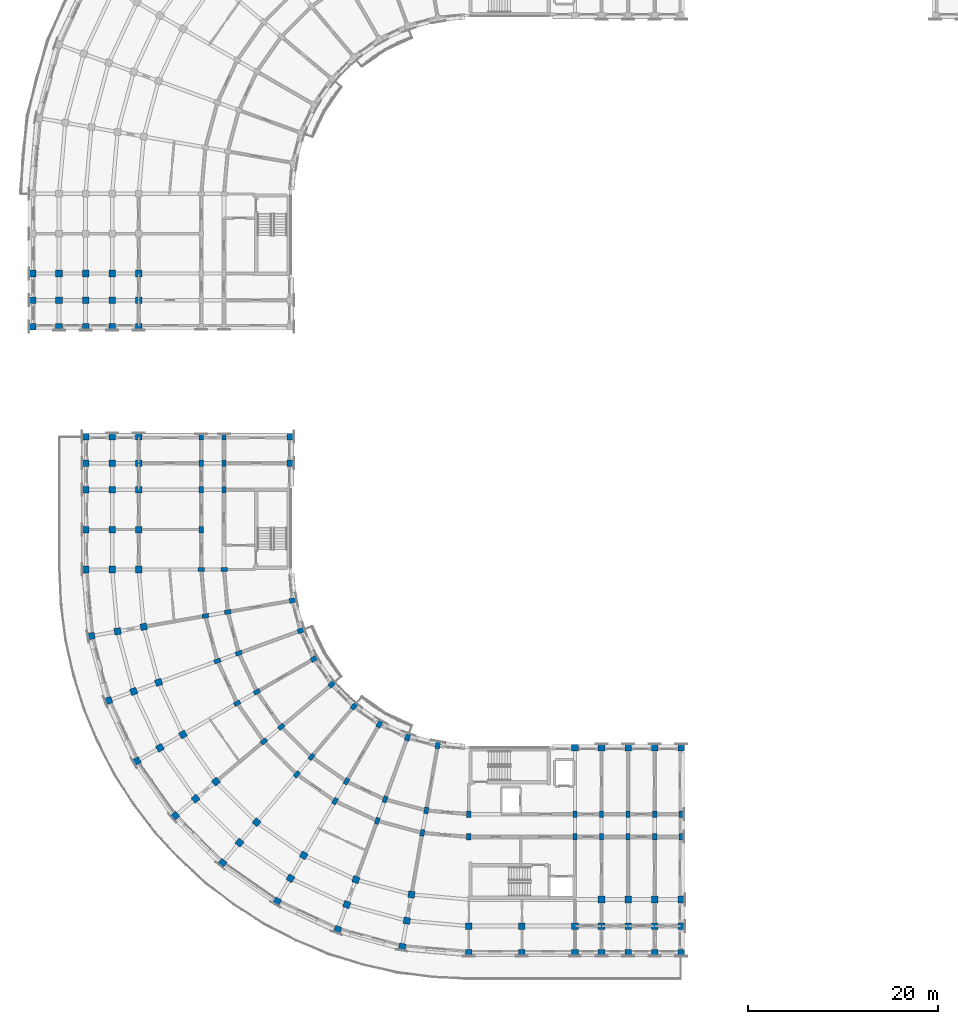
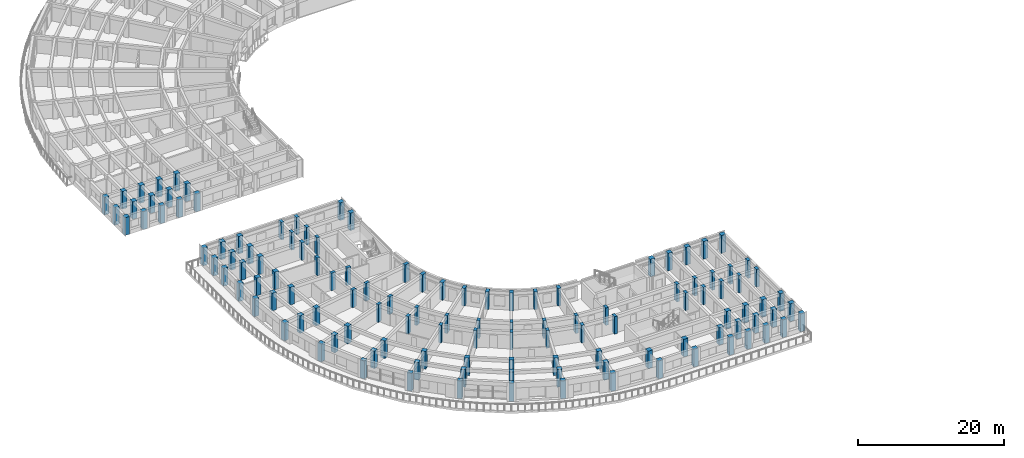
# One storey, part 1 of 57: 124 columns.
"""IFC4 building model written with IfcOpenShell, lengths in metres."""

import ifcopenshell
import ifcopenshell.guid

model = None  # the IFC model being written
_history = None  # IfcOwnerHistory: only IFC2X3 demands one
_inside = {}  # id of a spatial element -> (the spatial element, [elements in it])
_under = {}  # id of a project, library or spatial element -> (it, [spatial elements below it])
_declared = {}  # id of a project -> (the project, [libraries it declares])
_typed = {}  # id of a type object -> (the type object, [elements of that type])
_made_of = {}  # id of a material, layer set ... -> (it, [elements and type objects made of it])


def new_model(schema):
    """Start an empty IFC model of exactly this schema.

    Asked for "IFC4X3", IfcOpenShell would pick the latest addendum, in which some entities
    have other attributes; the version numbers below select the first issue.
    IFC2X3 requires an IfcOwnerHistory on every rooted entity: one is made here for all.
    """
    global model, _history
    if schema == "IFC4X3":
        model = ifcopenshell.file(schema_version=(4, 3, 0, 0))
    else:
        model = ifcopenshell.file(schema=schema)
    _inside.clear()
    _under.clear()
    _declared.clear()
    _typed.clear()
    _made_of.clear()
    _history = None
    if model.schema == "IFC2X3":
        org = make("IfcOrganization", Name="unknown")
        user = make(
            "IfcPersonAndOrganization",
            ThePerson=make("IfcPerson", FamilyName="unknown"),
            TheOrganization=org,
        )
        app = make(
            "IfcApplication",
            ApplicationDeveloper=org,
            Version="unknown",
            ApplicationFullName="unknown",
            ApplicationIdentifier="unknown",
        )
        _history = make(
            "IfcOwnerHistory",
            OwningUser=user,
            OwningApplication=app,
            ChangeAction="ADDED",
            CreationDate=0,
        )
    return model


def make(cls, **values):
    """One entity of the class cls with the attributes given. An attribute that is None is left unset."""
    return model.create_entity(
        cls, **{name: value for name, value in values.items() if value is not None}
    )


def rooted(cls, **values):
    """An entity with a GlobalId (a new one), such as an element, a storey or a relation."""
    return make(cls, GlobalId=ifcopenshell.guid.new(), OwnerHistory=_history, **values)


def si_unit(unit_type, name, prefix=None):
    """IfcSIUnit, for example si_unit("LENGTHUNIT", "METRE", prefix="MILLI")."""
    return make("IfcSIUnit", UnitType=unit_type, Prefix=prefix, Name=name)


def assignment(units):
    """IfcUnitAssignment: the units of a project."""
    return None if units is None else make("IfcUnitAssignment", Units=units)


def point(xyz):
    """IfcCartesianPoint."""
    return None if xyz is None else make("IfcCartesianPoint", Coordinates=xyz)


def direction(xyz):
    """IfcDirection."""
    return None if xyz is None else make("IfcDirection", DirectionRatios=xyz)


def frame(location, z_axis=None, x_axis=None):
    """IfcAxis2Placement3D, a coordinate frame: its origin and axes. An axis left out is left unset."""
    return make(
        "IfcAxis2Placement3D",
        Location=point(location),
        Axis=direction(z_axis),
        RefDirection=direction(x_axis),
    )


def frame_2d(location, x_axis=None):
    """IfcAxis2Placement2D, a coordinate frame in the plane: its origin and x axis."""
    return make(
        "IfcAxis2Placement2D", Location=point(location), RefDirection=direction(x_axis)
    )


def origin():
    """The frame at (0, 0, 0) with its axes left unset."""
    return frame((0.0, 0.0, 0.0))


def origin_2d():
    """The frame at (0, 0) in the plane with its x axis left unset."""
    return frame_2d((0.0, 0.0))


def place(relative_to, where):
    """IfcLocalPlacement: puts the frame where relative to a parent placement (None: the world)."""
    return make(
        "IfcLocalPlacement", PlacementRelTo=relative_to, RelativePlacement=where
    )


def context(
    kind, dimensions, precision=None, world=None, true_north=None, identifier=None
):
    """IfcGeometricRepresentationContext, for example the 3D "Model" context."""
    return make(
        "IfcGeometricRepresentationContext",
        ContextIdentifier=identifier,
        ContextType=kind,
        CoordinateSpaceDimension=dimensions,
        Precision=precision,
        WorldCoordinateSystem=world,
        TrueNorth=true_north,
    )


def subcontext(parent, identifier, kind, view, scale=None):
    """IfcGeometricRepresentationSubContext, for example "Body" below "Model"."""
    return make(
        "IfcGeometricRepresentationSubContext",
        ContextIdentifier=identifier,
        ContextType=kind,
        ParentContext=parent,
        TargetScale=scale,
        TargetView=view,
    )


def project(units=None, contexts=None):
    """IfcProject with its units and contexts."""
    return rooted(
        "IfcProject",
        Name="project",
        RepresentationContexts=contexts,
        UnitsInContext=assignment(units),
    )


def spatial(cls, under=None, at=None, **own):
    """A site, building, storey or space (cls), placed at a placement, below another one or the project."""
    s = rooted(cls, ObjectPlacement=at, **own)
    if under is not None:
        _under.setdefault(under.id(), (under, []))[1].append(s)
    return s


def profile(cls, at=None, kind="AREA", **sizes):
    """A parametric profile (cls). Its sizes go by their IFC names, for example OverallWidth=200.0."""
    return make(cls, ProfileType=kind, Position=at, **sizes)


def rectangle(**sizes):
    """IfcRectangleProfileDef."""
    return profile("IfcRectangleProfileDef", **sizes)


def extrude(swept, where, along, depth):
    """IfcExtrudedAreaSolid: the profile swept, set in the frame where, extruded along a direction by depth."""
    return make(
        "IfcExtrudedAreaSolid",
        SweptArea=swept,
        Position=where,
        ExtrudedDirection=direction(along),
        Depth=depth,
    )


def shape(context_of_items, identifier, shape_type, items):
    """IfcShapeRepresentation: the items that make up one representation, for example the "Body"."""
    return make(
        "IfcShapeRepresentation",
        ContextOfItems=context_of_items,
        RepresentationIdentifier=identifier,
        RepresentationType=shape_type,
        Items=items,
    )


def material(Name=None, Category=None):
    """IfcMaterial."""
    return make("IfcMaterial", Name=Name, Category=Category)


def material_profile(
    of_material, cross_section, Name=None, Category=None, Priority=None
):
    """IfcMaterialProfile: a cross section and its material."""
    return make(
        "IfcMaterialProfile",
        Name=Name,
        Material=of_material,
        Profile=cross_section,
        Priority=Priority,
        Category=Category,
    )


def profile_set(profiles, Name=None, composite=None):
    """IfcMaterialProfileSet."""
    return make(
        "IfcMaterialProfileSet",
        Name=Name,
        MaterialProfiles=profiles,
        CompositeProfile=composite,
    )


def made_of(thing, what):
    """Note that an element or type object is made of a material, layer set ...; save() writes the relation."""
    if what is not None:
        _made_of.setdefault(what.id(), (what, []))[1].append(thing)
    return thing


def type_object(cls, material=None, **own):
    """A type object (cls), such as IfcWallType, which elements share."""
    return made_of(rooted(cls, **own), material)


def element(
    cls,
    number,
    at=None,
    inside=None,
    cuts=None,
    type_object=None,
    material=None,
    context=None,
    identifier="Body",
    shape_type=None,
    held_by="IfcProductDefinitionShape",
    body=None,
    shapes=None,
    **own,
):
    """One element of the class cls, such as IfcWall. Its Tag is "e" and its number.

    at: its placement. inside: the storey or other place that contains it. cuts: it is an
    opening in that element (IfcRelVoidsElement). A single representation is given by context,
    identifier, shape_type and body (its items); several are given by shapes. held_by: the class
    of the entity that holds the representations. save() writes the other relations.
    """
    e = rooted(cls, Tag="e%d" % number, ObjectPlacement=at, **own)
    if body is not None:
        shapes = [shape(context, identifier, shape_type, body)]
    if shapes is not None:
        e.Representation = make(held_by, Representations=shapes)
    if inside is not None:
        _inside.setdefault(inside.id(), (inside, []))[1].append(e)
    if cuts is not None:
        rooted(
            "IfcRelVoidsElement", RelatingBuildingElement=cuts, RelatedOpeningElement=e
        )
    if type_object is not None:
        _typed.setdefault(type_object.id(), (type_object, []))[1].append(e)
    return made_of(e, material)


def aggregate(whole, parts):
    """IfcRelAggregates: a whole, such as a stair, and the parts it consists of."""
    return rooted("IfcRelAggregates", RelatingObject=whole, RelatedObjects=parts)


def save(model, path):
    """Write the relations noted so far, then the file.

    IfcRelAggregates (storeys below a building ...), IfcRelContainedInSpatialStructure (elements
    in a storey), IfcRelDefinesByType, IfcRelAssociatesMaterial and IfcRelDeclares: one each for
    every whole, place, type object, material and project.
    """
    for whole, parts in _under.values():
        aggregate(whole, parts)
    for where, things in _inside.values():
        rooted(
            "IfcRelContainedInSpatialStructure",
            RelatedElements=things,
            RelatingStructure=where,
        )
    for kind, things in _typed.values():
        rooted("IfcRelDefinesByType", RelatedObjects=things, RelatingType=kind)
    for what, things in _made_of.values():
        rooted("IfcRelAssociatesMaterial", RelatedObjects=things, RelatingMaterial=what)
    for by, libraries in _declared.values():
        rooted("IfcRelDeclares", RelatingContext=by, RelatedDefinitions=libraries)
    model.write(path)


model = new_model("IFC4")

# Units and contexts
model_context = context("Model", 3, precision=1e-05, world=origin(), true_north=direction((0.0, 1.0)))
body_context = subcontext(model_context, "Body", "Model", "MODEL_VIEW")
ifc_project = project(units=[si_unit("LENGTHUNIT", "METRE"), si_unit("AREAUNIT", "SQUARE_METRE"), si_unit("VOLUMEUNIT", "CUBIC_METRE"), si_unit("PLANEANGLEUNIT", "RADIAN"), si_unit("MASSUNIT", "GRAM", prefix="KILO")], contexts=[model_context])

# Site, building, storey
site_placement = place(None, origin())
site = spatial("IfcSite", under=ifc_project, at=site_placement, CompositionType="ELEMENT")
building_placement = place(site_placement, origin())
building = spatial("IfcBuilding", under=site, at=building_placement, Name="Kiranvali Square Residences", CompositionType="ELEMENT")
storey_placement = place(building_placement, frame((0.0, 0.0, 24.449951171875)))
storey = spatial("IfcBuildingStorey", under=building, at=storey_placement, Name="L07", CompositionType="ELEMENT", Elevation=24.449951171875)

# Columns
ifc_material_1 = material(Name="Concrete M45 (45 MPa)", Category="concrete")
ifc_material_profile_1 = material_profile(ifc_material_1, rectangle(XDim=0.699951171875, YDim=0.699951171875, at=origin_2d()), Name="RC 700x700")
ifc_profile_set_1 = profile_set([ifc_material_profile_1], Name="Concrete M45 (45 MPa)")
column_type_1 = type_object("IfcColumnType", Name="COL-M45-700", PredefinedType="COLUMN", material=ifc_profile_set_1)
for number, where, z_axis, x_axis, name in (
    (1, (13.39990234375, 79.39990234375, 0.0), (0.0, 0.0, 1.0), (1.0, 0.0, 0.0), "Block A L07 Arm 2 column V1-R3"),
    (2, (10.60009765625, 79.39990234375, 0.0), (0.0, 0.0, 1.0), (1.0, 0.0, 0.0), "Block A L07 Arm 2 column V1-R4"),
    (3, (7.800048828125, 79.39990234375, 0.0), (0.0, 0.0, 1.0), (1.0, 0.0, 0.0), "Block A L07 Arm 2 column V1-R5"),
    (4, (5.0, 79.39990234375, 0.0), (0.0, 0.0, 1.0), (1.0, 0.0, 0.0), "Block A L07 Arm 2 column V1-R6"),
    (5, (2.199951171875, 79.39990234375, 0.0), (0.0, 0.0, 1.0), (1.0, 0.0, 0.0), "Block A L07 Arm 2 column V1-R7"),
    (6, (13.39990234375, 76.60009765625, 0.0), (0.0, 0.0, 1.0), (1.0, 0.0, 0.0), "Block A L07 Arm 2 column V2-R3"),
    (7, (10.60009765625, 76.60009765625, 0.0), (0.0, 0.0, 1.0), (1.0, 0.0, 0.0), "Block A L07 Arm 2 column V2-R4"),
    (8, (7.800048828125, 76.60009765625, 0.0), (0.0, 0.0, 1.0), (1.0, 0.0, 0.0), "Block A L07 Arm 2 column V2-R5"),
    (9, (5.0, 76.60009765625, 0.0), (0.0, 0.0, 1.0), (1.0, 0.0, 0.0), "Block A L07 Arm 2 column V2-R6"),
    (10, (2.199951171875, 76.60009765625, 0.0), (0.0, 0.0, 1.0), (1.0, 0.0, 0.0), "Block A L07 Arm 2 column V2-R7"),
):
    element("IfcColumn", number, at=place(storey_placement, frame(where, z_axis=z_axis, x_axis=x_axis)), inside=storey, type_object=column_type_1, Name=name, PredefinedType="COLUMN", context=body_context, shape_type="SweptSolid", body=[
        extrude(rectangle(XDim=0.699951171875, YDim=0.699951171875, at=origin_2d()), origin(), (0.0, 0.0, 1.0), 2.929931640625),
    ])
for number, where, z_axis, x_axis, name in (
    (11, (13.39990234375, 73.800048828125, 0.0), (0.0, 0.0, 1.0), (1.0, 0.0, 0.0), "Block A L07 Arm 2 column V3-R3"),
    (12, (10.60009765625, 73.800048828125, 0.0), (0.0, 0.0, 1.0), (1.0, 0.0, 0.0), "Block A L07 Arm 2 column V3-R4"),
    (13, (7.800048828125, 73.800048828125, 0.0), (0.0, 0.0, 1.0), (1.0, 0.0, 0.0), "Block A L07 Arm 2 column V3-R5"),
    (14, (5.0, 73.800048828125, 0.0), (0.0, 0.0, 1.0), (1.0, 0.0, 0.0), "Block A L07 Arm 2 column V3-R6"),
    (15, (2.199951171875, 73.800048828125, 0.0), (0.0, 0.0, 1.0), (1.0, 0.0, 0.0), "Block A L07 Arm 2 column V3-R7"),
):
    element("IfcColumn", number, at=place(storey_placement, frame(where, z_axis=z_axis, x_axis=x_axis)), inside=storey, type_object=column_type_1, Name=name, PredefinedType="COLUMN", context=body_context, shape_type="SweptSolid", body=[
        extrude(rectangle(XDim=0.699951171875, YDim=0.699951171875, at=origin_2d()), origin(), (0.0, 0.0, 1.0), 2.969970703125),
    ])
column_1_placement = place(storey_placement, frame((48.199951171875, 10.60009765625, 0.0), z_axis=(0.0, 0.0, 1.0), x_axis=(1.0, 0.0, 0.0)))
element("IfcColumn", 16, at=column_1_placement, inside=storey, type_object=column_type_1, Name="Block C L07 radial column A00-R4", PredefinedType="COLUMN", context=body_context, shape_type="SweptSolid", body=[
    extrude(rectangle(XDim=0.699951171875, YDim=0.699951171875, at=origin_2d()), origin(), (0.0, 0.0, 1.0), 2.929931640625),
])
column_2_placement = place(storey_placement, frame((48.199951171875, 7.800048828125, 0.0), z_axis=(0.0, 0.0, 1.0), x_axis=(1.0, 0.0, 0.0)))
element("IfcColumn", 17, at=column_2_placement, inside=storey, type_object=column_type_1, Name="Block C L07 radial column A00-R5", PredefinedType="COLUMN", context=body_context, shape_type="SweptSolid", body=[
    extrude(rectangle(XDim=0.699951171875, YDim=0.699951171875, at=origin_2d()), origin(), (0.0, 0.0, 1.0), 2.969970703125),
])
for number, where, z_axis, x_axis, name in (
    (18, (42.156982421875, 13.9287109375, 0.0), (0.0, 0.0, 1.0), (-0.984807753012, 0.173648177667, 0.0), "Block C L07 radial column A01-R3"),
    (19, (41.6708984375, 11.171142578125, 0.0), (0.0, 0.0, 1.0), (-0.984807753012, 0.173648177667, 0.0), "Block C L07 radial column A01-R4"),
):
    element("IfcColumn", number, at=place(storey_placement, frame(where, z_axis=z_axis, x_axis=x_axis)), inside=storey, type_object=column_type_1, Name=name, PredefinedType="COLUMN", context=body_context, shape_type="SweptSolid", body=[
        extrude(rectangle(XDim=0.699951171875, YDim=0.699951171875, at=origin_2d()), origin(), (0.0, 0.0, 1.0), 2.929931640625),
    ])
column_3_placement = place(storey_placement, frame((41.1845703125, 8.413818359375, 0.0), z_axis=(0.0, 0.0, 1.0), x_axis=(-0.984807753012, 0.173648177667, 0.0)))
element("IfcColumn", 20, at=column_3_placement, inside=storey, type_object=column_type_1, Name="Block C L07 radial column A01-R5", PredefinedType="COLUMN", context=body_context, shape_type="SweptSolid", body=[
    extrude(rectangle(XDim=0.699951171875, YDim=0.699951171875, at=origin_2d()), origin(), (0.0, 0.0, 1.0), 2.969970703125),
])
for number, where, z_axis, x_axis, name in (
    (21, (36.297607421875, 15.498779296875, 0.0), (0.0, 0.0, 1.0), (-0.939692620786, 0.342020143326, 0.0), "Block C L07 radial column A02-R3"),
    (22, (35.340087890625, 12.86767578125, 0.0), (0.0, 0.0, 1.0), (-0.939692620786, 0.342020143326, 0.0), "Block C L07 radial column A02-R4"),
):
    element("IfcColumn", number, at=place(storey_placement, frame(where, z_axis=z_axis, x_axis=x_axis)), inside=storey, type_object=column_type_1, Name=name, PredefinedType="COLUMN", context=body_context, shape_type="SweptSolid", body=[
        extrude(rectangle(XDim=0.699951171875, YDim=0.699951171875, at=origin_2d()), origin(), (0.0, 0.0, 1.0), 2.929931640625),
    ])
column_4_placement = place(storey_placement, frame((34.38232421875, 10.236328125, 0.0), z_axis=(0.0, 0.0, 1.0), x_axis=(-0.939692620786, 0.342020143326, 0.0)))
element("IfcColumn", 23, at=column_4_placement, inside=storey, type_object=column_type_1, Name="Block C L07 radial column A02-R5", PredefinedType="COLUMN", context=body_context, shape_type="SweptSolid", body=[
    extrude(rectangle(XDim=0.699951171875, YDim=0.699951171875, at=origin_2d()), origin(), (0.0, 0.0, 1.0), 2.969970703125),
])
for number, where, z_axis, x_axis, name in (
    (24, (30.800048828125, 18.062255859375, 0.0), (0.0, 0.0, 1.0), (-0.866025403784, 0.5, 0.0), "Block C L07 radial column A03-R3"),
    (25, (29.39990234375, 15.637451171875, 0.0), (0.0, 0.0, 1.0), (-0.866025403784, 0.5, 0.0), "Block C L07 radial column A03-R4"),
):
    element("IfcColumn", number, at=place(storey_placement, frame(where, z_axis=z_axis, x_axis=x_axis)), inside=storey, type_object=column_type_1, Name=name, PredefinedType="COLUMN", context=body_context, shape_type="SweptSolid", body=[
        extrude(rectangle(XDim=0.699951171875, YDim=0.699951171875, at=origin_2d()), origin(), (0.0, 0.0, 1.0), 2.929931640625),
    ])
column_5_placement = place(storey_placement, frame((28.0, 13.212646484375, 0.0), z_axis=(0.0, 0.0, 1.0), x_axis=(-0.866025403784, 0.5, 0.0)))
element("IfcColumn", 26, at=column_5_placement, inside=storey, type_object=column_type_1, Name="Block C L07 radial column A03-R5", PredefinedType="COLUMN", context=body_context, shape_type="SweptSolid", body=[
    extrude(rectangle(XDim=0.699951171875, YDim=0.699951171875, at=origin_2d()), origin(), (0.0, 0.0, 1.0), 2.969970703125),
])
for number, where, z_axis, x_axis, name in (
    (27, (25.8310546875, 21.541748046875, 0.0), (0.0, 0.0, 1.0), (-0.766044443119, 0.642787609687, 0.0), "Block C L07 radial column A04-R3"),
    (28, (24.03125, 19.396728515625, 0.0), (0.0, 0.0, 1.0), (-0.766044443119, 0.642787609687, 0.0), "Block C L07 radial column A04-R4"),
):
    element("IfcColumn", number, at=place(storey_placement, frame(where, z_axis=z_axis, x_axis=x_axis)), inside=storey, type_object=column_type_1, Name=name, PredefinedType="COLUMN", context=body_context, shape_type="SweptSolid", body=[
        extrude(rectangle(XDim=0.699951171875, YDim=0.699951171875, at=origin_2d()), origin(), (0.0, 0.0, 1.0), 2.929931640625),
    ])
column_6_placement = place(storey_placement, frame((22.2314453125, 17.251708984375, 0.0), z_axis=(0.0, 0.0, 1.0), x_axis=(-0.766044443119, 0.642787609687, 0.0)))
element("IfcColumn", 29, at=column_6_placement, inside=storey, type_object=column_type_1, Name="Block C L07 radial column A04-R5", PredefinedType="COLUMN", context=body_context, shape_type="SweptSolid", body=[
    extrude(rectangle(XDim=0.699951171875, YDim=0.699951171875, at=origin_2d()), origin(), (0.0, 0.0, 1.0), 2.969970703125),
])
for number, where, z_axis, x_axis, name in (
    (30, (21.541748046875, 25.8310546875, 0.0), (0.0, 0.0, 1.0), (-0.642787609687, 0.766044443119, 0.0), "Block C L07 radial column A05-R3"),
    (31, (19.396728515625, 24.03125, 0.0), (0.0, 0.0, 1.0), (-0.642787609687, 0.766044443119, 0.0), "Block C L07 radial column A05-R4"),
):
    element("IfcColumn", number, at=place(storey_placement, frame(where, z_axis=z_axis, x_axis=x_axis)), inside=storey, type_object=column_type_1, Name=name, PredefinedType="COLUMN", context=body_context, shape_type="SweptSolid", body=[
        extrude(rectangle(XDim=0.699951171875, YDim=0.699951171875, at=origin_2d()), origin(), (0.0, 0.0, 1.0), 2.929931640625),
    ])
column_7_placement = place(storey_placement, frame((17.251708984375, 22.2314453125, 0.0), z_axis=(0.0, 0.0, 1.0), x_axis=(-0.642787609687, 0.766044443119, 0.0)))
element("IfcColumn", 32, at=column_7_placement, inside=storey, type_object=column_type_1, Name="Block C L07 radial column A05-R5", PredefinedType="COLUMN", context=body_context, shape_type="SweptSolid", body=[
    extrude(rectangle(XDim=0.699951171875, YDim=0.699951171875, at=origin_2d()), origin(), (0.0, 0.0, 1.0), 2.969970703125),
])
for number, where, z_axis, x_axis, name in (
    (33, (18.062255859375, 30.800048828125, 0.0), (0.0, 0.0, 1.0), (-0.5, 0.866025403784, 0.0), "Block C L07 radial column A06-R3"),
    (34, (15.637451171875, 29.39990234375, 0.0), (0.0, 0.0, 1.0), (-0.5, 0.866025403784, 0.0), "Block C L07 radial column A06-R4"),
):
    element("IfcColumn", number, at=place(storey_placement, frame(where, z_axis=z_axis, x_axis=x_axis)), inside=storey, type_object=column_type_1, Name=name, PredefinedType="COLUMN", context=body_context, shape_type="SweptSolid", body=[
        extrude(rectangle(XDim=0.699951171875, YDim=0.699951171875, at=origin_2d()), origin(), (0.0, 0.0, 1.0), 2.929931640625),
    ])
column_8_placement = place(storey_placement, frame((13.212646484375, 28.0, 0.0), z_axis=(0.0, 0.0, 1.0), x_axis=(-0.5, 0.866025403784, 0.0)))
element("IfcColumn", 35, at=column_8_placement, inside=storey, type_object=column_type_1, Name="Block C L07 radial column A06-R5", PredefinedType="COLUMN", context=body_context, shape_type="SweptSolid", body=[
    extrude(rectangle(XDim=0.699951171875, YDim=0.699951171875, at=origin_2d()), origin(), (0.0, 0.0, 1.0), 2.969970703125),
])
for number, where, z_axis, x_axis, name in (
    (36, (15.498779296875, 36.297607421875, 0.0), (0.0, 0.0, 1.0), (-0.342020143326, 0.939692620786, 0.0), "Block C L07 radial column A07-R3"),
    (37, (12.86767578125, 35.340087890625, 0.0), (0.0, 0.0, 1.0), (-0.342020143326, 0.939692620786, 0.0), "Block C L07 radial column A07-R4"),
):
    element("IfcColumn", number, at=place(storey_placement, frame(where, z_axis=z_axis, x_axis=x_axis)), inside=storey, type_object=column_type_1, Name=name, PredefinedType="COLUMN", context=body_context, shape_type="SweptSolid", body=[
        extrude(rectangle(XDim=0.699951171875, YDim=0.699951171875, at=origin_2d()), origin(), (0.0, 0.0, 1.0), 2.929931640625),
    ])
column_9_placement = place(storey_placement, frame((10.236328125, 34.38232421875, 0.0), z_axis=(0.0, 0.0, 1.0), x_axis=(-0.342020143326, 0.939692620786, 0.0)))
element("IfcColumn", 38, at=column_9_placement, inside=storey, type_object=column_type_1, Name="Block C L07 radial column A07-R5", PredefinedType="COLUMN", context=body_context, shape_type="SweptSolid", body=[
    extrude(rectangle(XDim=0.699951171875, YDim=0.699951171875, at=origin_2d()), origin(), (0.0, 0.0, 1.0), 2.969970703125),
])
for number, where, z_axis, x_axis, name in (
    (39, (13.9287109375, 42.156982421875, 0.0), (0.0, 0.0, 1.0), (-0.173648177667, 0.984807753012, 0.0), "Block C L07 radial column A08-R3"),
    (40, (11.171142578125, 41.6708984375, 0.0), (0.0, 0.0, 1.0), (-0.173648177667, 0.984807753012, 0.0), "Block C L07 radial column A08-R4"),
):
    element("IfcColumn", number, at=place(storey_placement, frame(where, z_axis=z_axis, x_axis=x_axis)), inside=storey, type_object=column_type_1, Name=name, PredefinedType="COLUMN", context=body_context, shape_type="SweptSolid", body=[
        extrude(rectangle(XDim=0.699951171875, YDim=0.699951171875, at=origin_2d()), origin(), (0.0, 0.0, 1.0), 2.929931640625),
    ])
column_10_placement = place(storey_placement, frame((8.413818359375, 41.1845703125, 0.0), z_axis=(0.0, 0.0, 1.0), x_axis=(-0.173648177667, 0.984807753012, 0.0)))
element("IfcColumn", 41, at=column_10_placement, inside=storey, type_object=column_type_1, Name="Block C L07 radial column A08-R5", PredefinedType="COLUMN", context=body_context, shape_type="SweptSolid", body=[
    extrude(rectangle(XDim=0.699951171875, YDim=0.699951171875, at=origin_2d()), origin(), (0.0, 0.0, 1.0), 2.969970703125),
])
for number, where, z_axis, x_axis, name in (
    (42, (13.39990234375, 48.199951171875, 0.0), (0.0, 0.0, 1.0), (0.0, 1.0, 0.0), "Block C L07 radial column A09-R3"),
    (43, (10.60009765625, 48.199951171875, 0.0), (0.0, 0.0, 1.0), (0.0, 1.0, 0.0), "Block C L07 radial column A09-R4"),
):
    element("IfcColumn", number, at=place(storey_placement, frame(where, z_axis=z_axis, x_axis=x_axis)), inside=storey, type_object=column_type_1, Name=name, PredefinedType="COLUMN", context=body_context, shape_type="SweptSolid", body=[
        extrude(rectangle(XDim=0.699951171875, YDim=0.699951171875, at=origin_2d()), origin(), (0.0, 0.0, 1.0), 2.929931640625),
    ])
column_11_placement = place(storey_placement, frame((7.800048828125, 48.199951171875, 0.0), z_axis=(0.0, 0.0, 1.0), x_axis=(0.0, 1.0, 0.0)))
element("IfcColumn", 44, at=column_11_placement, inside=storey, type_object=column_type_1, Name="Block C L07 radial column A09-R5", PredefinedType="COLUMN", context=body_context, shape_type="SweptSolid", body=[
    extrude(rectangle(XDim=0.699951171875, YDim=0.699951171875, at=origin_2d()), origin(), (0.0, 0.0, 1.0), 2.969970703125),
])
column_12_placement = place(storey_placement, frame((53.800048828125, 10.60009765625, 0.0), z_axis=(0.0, 0.0, 1.0), x_axis=(1.0, 0.0, 0.0)))
element("IfcColumn", 45, at=column_12_placement, inside=storey, type_object=column_type_1, Name="Block C L07 core-front column U0-R4", PredefinedType="COLUMN", context=body_context, shape_type="SweptSolid", body=[
    extrude(rectangle(XDim=0.699951171875, YDim=0.699951171875, at=origin_2d()), origin(), (0.0, 0.0, 1.0), 2.929931640625),
])
column_13_placement = place(storey_placement, frame((53.800048828125, 7.800048828125, 0.0), z_axis=(0.0, 0.0, 1.0), x_axis=(1.0, 0.0, 0.0)))
element("IfcColumn", 46, at=column_13_placement, inside=storey, type_object=column_type_1, Name="Block C L07 core-front column U0-R5", PredefinedType="COLUMN", context=body_context, shape_type="SweptSolid", body=[
    extrude(rectangle(XDim=0.699951171875, YDim=0.699951171875, at=origin_2d()), origin(), (0.0, 0.0, 1.0), 2.969970703125),
])
for number, where, z_axis, x_axis, name in (
    (47, (59.39990234375, 29.39990234375, 0.0), (0.0, 0.0, 1.0), (1.0, 0.0, 0.0), "Block C L07 Arm 1 column U1-R0"),
    (48, (59.39990234375, 10.60009765625, 0.0), (0.0, 0.0, 1.0), (1.0, 0.0, 0.0), "Block C L07 Arm 1 column U1-R4"),
):
    element("IfcColumn", number, at=place(storey_placement, frame(where, z_axis=z_axis, x_axis=x_axis)), inside=storey, type_object=column_type_1, Name=name, PredefinedType="COLUMN", context=body_context, shape_type="SweptSolid", body=[
        extrude(rectangle(XDim=0.699951171875, YDim=0.699951171875, at=origin_2d()), origin(), (0.0, 0.0, 1.0), 2.929931640625),
    ])
column_14_placement = place(storey_placement, frame((59.39990234375, 7.800048828125, 0.0), z_axis=(0.0, 0.0, 1.0), x_axis=(1.0, 0.0, 0.0)))
element("IfcColumn", 49, at=column_14_placement, inside=storey, type_object=column_type_1, Name="Block C L07 Arm 1 column U1-R5", PredefinedType="COLUMN", context=body_context, shape_type="SweptSolid", body=[
    extrude(rectangle(XDim=0.699951171875, YDim=0.699951171875, at=origin_2d()), origin(), (0.0, 0.0, 1.0), 2.969970703125),
])
for number, where, z_axis, x_axis, name in (
    (50, (62.199951171875, 29.39990234375, 0.0), (0.0, 0.0, 1.0), (1.0, 0.0, 0.0), "Block C L07 Arm 1 column U2-R0"),
    (51, (62.199951171875, 13.39990234375, 0.0), (0.0, 0.0, 1.0), (1.0, 0.0, 0.0), "Block C L07 Arm 1 column U2-R3"),
    (52, (62.199951171875, 10.60009765625, 0.0), (0.0, 0.0, 1.0), (1.0, 0.0, 0.0), "Block C L07 Arm 1 column U2-R4"),
):
    element("IfcColumn", number, at=place(storey_placement, frame(where, z_axis=z_axis, x_axis=x_axis)), inside=storey, type_object=column_type_1, Name=name, PredefinedType="COLUMN", context=body_context, shape_type="SweptSolid", body=[
        extrude(rectangle(XDim=0.699951171875, YDim=0.699951171875, at=origin_2d()), origin(), (0.0, 0.0, 1.0), 2.929931640625),
    ])
column_15_placement = place(storey_placement, frame((62.199951171875, 7.800048828125, 0.0), z_axis=(0.0, 0.0, 1.0), x_axis=(1.0, 0.0, 0.0)))
element("IfcColumn", 53, at=column_15_placement, inside=storey, type_object=column_type_1, Name="Block C L07 Arm 1 column U2-R5", PredefinedType="COLUMN", context=body_context, shape_type="SweptSolid", body=[
    extrude(rectangle(XDim=0.699951171875, YDim=0.699951171875, at=origin_2d()), origin(), (0.0, 0.0, 1.0), 2.969970703125),
])
for number, where, z_axis, x_axis, name in (
    (54, (65.0, 29.39990234375, 0.0), (0.0, 0.0, 1.0), (1.0, 0.0, 0.0), "Block C L07 Arm 1 column U3-R0"),
    (55, (65.0, 13.39990234375, 0.0), (0.0, 0.0, 1.0), (1.0, 0.0, 0.0), "Block C L07 Arm 1 column U3-R3"),
    (56, (65.0, 10.60009765625, 0.0), (0.0, 0.0, 1.0), (1.0, 0.0, 0.0), "Block C L07 Arm 1 column U3-R4"),
):
    element("IfcColumn", number, at=place(storey_placement, frame(where, z_axis=z_axis, x_axis=x_axis)), inside=storey, type_object=column_type_1, Name=name, PredefinedType="COLUMN", context=body_context, shape_type="SweptSolid", body=[
        extrude(rectangle(XDim=0.699951171875, YDim=0.699951171875, at=origin_2d()), origin(), (0.0, 0.0, 1.0), 2.929931640625),
    ])
column_16_placement = place(storey_placement, frame((65.0, 7.800048828125, 0.0), z_axis=(0.0, 0.0, 1.0), x_axis=(1.0, 0.0, 0.0)))
element("IfcColumn", 57, at=column_16_placement, inside=storey, type_object=column_type_1, Name="Block C L07 Arm 1 column U3-R5", PredefinedType="COLUMN", context=body_context, shape_type="SweptSolid", body=[
    extrude(rectangle(XDim=0.699951171875, YDim=0.699951171875, at=origin_2d()), origin(), (0.0, 0.0, 1.0), 2.969970703125),
])
for number, where, z_axis, x_axis, name in (
    (58, (67.800048828125, 29.39990234375, 0.0), (0.0, 0.0, 1.0), (1.0, 0.0, 0.0), "Block C L07 Arm 1 column U4-R0"),
    (59, (67.800048828125, 13.39990234375, 0.0), (0.0, 0.0, 1.0), (1.0, 0.0, 0.0), "Block C L07 Arm 1 column U4-R3"),
    (60, (67.800048828125, 10.60009765625, 0.0), (0.0, 0.0, 1.0), (1.0, 0.0, 0.0), "Block C L07 Arm 1 column U4-R4"),
):
    element("IfcColumn", number, at=place(storey_placement, frame(where, z_axis=z_axis, x_axis=x_axis)), inside=storey, type_object=column_type_1, Name=name, PredefinedType="COLUMN", context=body_context, shape_type="SweptSolid", body=[
        extrude(rectangle(XDim=0.699951171875, YDim=0.699951171875, at=origin_2d()), origin(), (0.0, 0.0, 1.0), 2.929931640625),
    ])
for number, where, z_axis, x_axis, name in (
    (61, (67.800048828125, 7.800048828125, 0.0), (0.0, 0.0, 1.0), (1.0, 0.0, 0.0), "Block C L07 Arm 1 column U4-R5"),
    (62, (70.60009765625, 29.39990234375, 0.0), (0.0, 0.0, 1.0), (1.0, 0.0, 0.0), "Block C L07 Arm 1 column U5-R0"),
    (63, (70.60009765625, 13.39990234375, 0.0), (0.0, 0.0, 1.0), (1.0, 0.0, 0.0), "Block C L07 Arm 1 column U5-R3"),
    (64, (70.60009765625, 10.60009765625, 0.0), (0.0, 0.0, 1.0), (1.0, 0.0, 0.0), "Block C L07 Arm 1 column U5-R4"),
    (65, (70.60009765625, 7.800048828125, 0.0), (0.0, 0.0, 1.0), (1.0, 0.0, 0.0), "Block C L07 Arm 1 column U5-R5"),
):
    element("IfcColumn", number, at=place(storey_placement, frame(where, z_axis=z_axis, x_axis=x_axis)), inside=storey, type_object=column_type_1, Name=name, PredefinedType="COLUMN", context=body_context, shape_type="SweptSolid", body=[
        extrude(rectangle(XDim=0.699951171875, YDim=0.699951171875, at=origin_2d()), origin(), (0.0, 0.0, 1.0), 2.969970703125),
    ])
for number, where, z_axis, x_axis, name in (
    (66, (13.39990234375, 52.39990234375, 0.0), (0.0, 0.0, 1.0), (1.0, 0.0, 0.0), "Block C L07 Arm 2 mid-core column V0-R3"),
    (67, (10.60009765625, 52.39990234375, 0.0), (0.0, 0.0, 1.0), (1.0, 0.0, 0.0), "Block C L07 Arm 2 mid-core column V0-R4"),
):
    element("IfcColumn", number, at=place(storey_placement, frame(where, z_axis=z_axis, x_axis=x_axis)), inside=storey, type_object=column_type_1, Name=name, PredefinedType="COLUMN", context=body_context, shape_type="SweptSolid", body=[
        extrude(rectangle(XDim=0.699951171875, YDim=0.699951171875, at=origin_2d()), origin(), (0.0, 0.0, 1.0), 2.929931640625),
    ])
column_17_placement = place(storey_placement, frame((7.800048828125, 52.39990234375, 0.0), z_axis=(0.0, 0.0, 1.0), x_axis=(1.0, 0.0, 0.0)))
element("IfcColumn", 68, at=column_17_placement, inside=storey, type_object=column_type_1, Name="Block C L07 Arm 2 mid-core column V0-R5", PredefinedType="COLUMN", context=body_context, shape_type="SweptSolid", body=[
    extrude(rectangle(XDim=0.699951171875, YDim=0.699951171875, at=origin_2d()), origin(), (0.0, 0.0, 1.0), 2.969970703125),
])
for number, where, z_axis, x_axis, name in (
    (69, (13.39990234375, 56.60009765625, 0.0), (0.0, 0.0, 1.0), (1.0, 0.0, 0.0), "Block C L07 Arm 2 column V1-R3"),
    (70, (10.60009765625, 56.60009765625, 0.0), (0.0, 0.0, 1.0), (1.0, 0.0, 0.0), "Block C L07 Arm 2 column V1-R4"),
):
    element("IfcColumn", number, at=place(storey_placement, frame(where, z_axis=z_axis, x_axis=x_axis)), inside=storey, type_object=column_type_1, Name=name, PredefinedType="COLUMN", context=body_context, shape_type="SweptSolid", body=[
        extrude(rectangle(XDim=0.699951171875, YDim=0.699951171875, at=origin_2d()), origin(), (0.0, 0.0, 1.0), 2.929931640625),
    ])
column_18_placement = place(storey_placement, frame((7.800048828125, 56.60009765625, 0.0), z_axis=(0.0, 0.0, 1.0), x_axis=(1.0, 0.0, 0.0)))
element("IfcColumn", 71, at=column_18_placement, inside=storey, type_object=column_type_1, Name="Block C L07 Arm 2 column V1-R5", PredefinedType="COLUMN", context=body_context, shape_type="SweptSolid", body=[
    extrude(rectangle(XDim=0.699951171875, YDim=0.699951171875, at=origin_2d()), origin(), (0.0, 0.0, 1.0), 2.969970703125),
])
for number, where, z_axis, x_axis, name in (
    (72, (29.39990234375, 59.39990234375, 0.0), (0.0, 0.0, 1.0), (1.0, 0.0, 0.0), "Block C L07 Arm 2 column V2-R0"),
    (73, (13.39990234375, 59.39990234375, 0.0), (0.0, 0.0, 1.0), (1.0, 0.0, 0.0), "Block C L07 Arm 2 column V2-R3"),
    (74, (10.60009765625, 59.39990234375, 0.0), (0.0, 0.0, 1.0), (1.0, 0.0, 0.0), "Block C L07 Arm 2 column V2-R4"),
):
    element("IfcColumn", number, at=place(storey_placement, frame(where, z_axis=z_axis, x_axis=x_axis)), inside=storey, type_object=column_type_1, Name=name, PredefinedType="COLUMN", context=body_context, shape_type="SweptSolid", body=[
        extrude(rectangle(XDim=0.699951171875, YDim=0.699951171875, at=origin_2d()), origin(), (0.0, 0.0, 1.0), 2.929931640625),
    ])
column_19_placement = place(storey_placement, frame((7.800048828125, 59.39990234375, 0.0), z_axis=(0.0, 0.0, 1.0), x_axis=(1.0, 0.0, 0.0)))
element("IfcColumn", 75, at=column_19_placement, inside=storey, type_object=column_type_1, Name="Block C L07 Arm 2 column V2-R5", PredefinedType="COLUMN", context=body_context, shape_type="SweptSolid", body=[
    extrude(rectangle(XDim=0.699951171875, YDim=0.699951171875, at=origin_2d()), origin(), (0.0, 0.0, 1.0), 2.969970703125),
])
for number, where, z_axis, x_axis, name in (
    (76, (29.39990234375, 62.199951171875, 0.0), (0.0, 0.0, 1.0), (1.0, 0.0, 0.0), "Block C L07 Arm 2 column V3-R0"),
    (77, (13.39990234375, 62.199951171875, 0.0), (0.0, 0.0, 1.0), (1.0, 0.0, 0.0), "Block C L07 Arm 2 column V3-R3"),
    (78, (10.60009765625, 62.199951171875, 0.0), (0.0, 0.0, 1.0), (1.0, 0.0, 0.0), "Block C L07 Arm 2 column V3-R4"),
):
    element("IfcColumn", number, at=place(storey_placement, frame(where, z_axis=z_axis, x_axis=x_axis)), inside=storey, type_object=column_type_1, Name=name, PredefinedType="COLUMN", context=body_context, shape_type="SweptSolid", body=[
        extrude(rectangle(XDim=0.699951171875, YDim=0.699951171875, at=origin_2d()), origin(), (0.0, 0.0, 1.0), 2.929931640625),
    ])
column_20_placement = place(storey_placement, frame((7.800048828125, 62.199951171875, 0.0), z_axis=(0.0, 0.0, 1.0), x_axis=(1.0, 0.0, 0.0)))
element("IfcColumn", 79, at=column_20_placement, inside=storey, type_object=column_type_1, Name="Block C L07 Arm 2 column V3-R5", PredefinedType="COLUMN", context=body_context, shape_type="SweptSolid", body=[
    extrude(rectangle(XDim=0.699951171875, YDim=0.699951171875, at=origin_2d()), origin(), (0.0, 0.0, 1.0), 2.969970703125),
])
ifc_material_profile_2 = material_profile(ifc_material_1, rectangle(XDim=0.449951171875, YDim=0.699951171875, at=origin_2d()), Name="RC 700x450")
ifc_profile_set_2 = profile_set([ifc_material_profile_2], Name="Concrete M45 (45 MPa)")
column_type_2 = type_object("IfcColumnType", Name="COL-M45-700x450", PredefinedType="COLUMN", material=ifc_profile_set_2)
for number, where, z_axis, x_axis, name in (
    (80, (48.199951171875, 22.39990234375, 0.0), (0.0, 0.0, 1.0), (1.0, 0.0, 0.0), "Block C L07 radial column A00-R1"),
    (81, (48.199951171875, 20.0, 0.0), (0.0, 0.0, 1.0), (1.0, 0.0, 0.0), "Block C L07 radial column A00-R2"),
    (82, (43.719970703125, 22.7919921875, 0.0), (0.0, 0.0, 1.0), (-0.984807753012, 0.173648177667, 0.0), "Block C L07 radial column A01-R1"),
    (83, (43.30322265625, 20.428466796875, 0.0), (0.0, 0.0, 1.0), (-0.984807753012, 0.173648177667, 0.0), "Block C L07 radial column A01-R2"),
    (84, (39.3759765625, 23.955810546875, 0.0), (0.0, 0.0, 1.0), (-0.939692620786, 0.342020143326, 0.0), "Block C L07 radial column A02-R1"),
    (85, (38.554931640625, 21.70068359375, 0.0), (0.0, 0.0, 1.0), (-0.939692620786, 0.342020143326, 0.0), "Block C L07 radial column A02-R2"),
    (86, (35.300048828125, 25.8564453125, 0.0), (0.0, 0.0, 1.0), (-0.866025403784, 0.5, 0.0), "Block C L07 radial column A03-R1"),
    (87, (34.10009765625, 23.778076171875, 0.0), (0.0, 0.0, 1.0), (-0.866025403784, 0.5, 0.0), "Block C L07 radial column A03-R2"),
    (88, (31.615966796875, 28.43603515625, 0.0), (0.0, 0.0, 1.0), (-0.766044443119, 0.642787609687, 0.0), "Block C L07 radial column A04-R1"),
    (89, (30.073486328125, 26.59765625, 0.0), (0.0, 0.0, 1.0), (-0.766044443119, 0.642787609687, 0.0), "Block C L07 radial column A04-R2"),
    (90, (28.43603515625, 31.615966796875, 0.0), (0.0, 0.0, 1.0), (-0.642787609687, 0.766044443119, 0.0), "Block C L07 radial column A05-R1"),
    (91, (26.59765625, 30.073486328125, 0.0), (0.0, 0.0, 1.0), (-0.642787609687, 0.766044443119, 0.0), "Block C L07 radial column A05-R2"),
    (92, (25.8564453125, 35.300048828125, 0.0), (0.0, 0.0, 1.0), (-0.5, 0.866025403784, 0.0), "Block C L07 radial column A06-R1"),
    (93, (23.778076171875, 34.10009765625, 0.0), (0.0, 0.0, 1.0), (-0.5, 0.866025403784, 0.0), "Block C L07 radial column A06-R2"),
    (94, (23.955810546875, 39.3759765625, 0.0), (0.0, 0.0, 1.0), (-0.342020143326, 0.939692620786, 0.0), "Block C L07 radial column A07-R1"),
    (95, (21.70068359375, 38.554931640625, 0.0), (0.0, 0.0, 1.0), (-0.342020143326, 0.939692620786, 0.0), "Block C L07 radial column A07-R2"),
    (96, (22.7919921875, 43.719970703125, 0.0), (0.0, 0.0, 1.0), (-0.173648177667, 0.984807753012, 0.0), "Block C L07 radial column A08-R1"),
    (97, (20.428466796875, 43.30322265625, 0.0), (0.0, 0.0, 1.0), (-0.173648177667, 0.984807753012, 0.0), "Block C L07 radial column A08-R2"),
    (98, (22.39990234375, 48.199951171875, 0.0), (0.0, 0.0, 1.0), (0.0, 1.0, 0.0), "Block C L07 radial column A09-R1"),
    (99, (20.0, 48.199951171875, 0.0), (0.0, 0.0, 1.0), (0.0, 1.0, 0.0), "Block C L07 radial column A09-R2"),
    (100, (59.39990234375, 22.39990234375, 0.0), (0.0, 0.0, 1.0), (1.0, 0.0, 0.0), "Block C L07 Arm 1 column U1-R1"),
    (101, (59.39990234375, 20.0, 0.0), (0.0, 0.0, 1.0), (1.0, 0.0, 0.0), "Block C L07 Arm 1 column U1-R2"),
    (102, (62.199951171875, 22.39990234375, 0.0), (0.0, 0.0, 1.0), (1.0, 0.0, 0.0), "Block C L07 Arm 1 column U2-R1"),
    (103, (62.199951171875, 20.0, 0.0), (0.0, 0.0, 1.0), (1.0, 0.0, 0.0), "Block C L07 Arm 1 column U2-R2"),
    (104, (65.0, 22.39990234375, 0.0), (0.0, 0.0, 1.0), (1.0, 0.0, 0.0), "Block C L07 Arm 1 column U3-R1"),
    (105, (65.0, 20.0, 0.0), (0.0, 0.0, 1.0), (1.0, 0.0, 0.0), "Block C L07 Arm 1 column U3-R2"),
    (106, (67.800048828125, 22.39990234375, 0.0), (0.0, 0.0, 1.0), (1.0, 0.0, 0.0), "Block C L07 Arm 1 column U4-R1"),
    (107, (67.800048828125, 20.0, 0.0), (0.0, 0.0, 1.0), (1.0, 0.0, 0.0), "Block C L07 Arm 1 column U4-R2"),
):
    element("IfcColumn", number, at=place(storey_placement, frame(where, z_axis=z_axis, x_axis=x_axis)), inside=storey, type_object=column_type_2, Name=name, PredefinedType="COLUMN", context=body_context, shape_type="SweptSolid", body=[
        extrude(rectangle(XDim=0.449951171875, YDim=0.699951171875, at=origin_2d()), origin(), (0.0, 0.0, 1.0), 2.929931640625),
    ])
for number, where, z_axis, x_axis, name in (
    (108, (70.60009765625, 22.39990234375, 0.0), (0.0, 0.0, 1.0), (1.0, 0.0, 0.0), "Block C L07 Arm 1 column U5-R1"),
    (109, (70.60009765625, 20.0, 0.0), (0.0, 0.0, 1.0), (1.0, 0.0, 0.0), "Block C L07 Arm 1 column U5-R2"),
):
    element("IfcColumn", number, at=place(storey_placement, frame(where, z_axis=z_axis, x_axis=x_axis)), inside=storey, type_object=column_type_2, Name=name, PredefinedType="COLUMN", context=body_context, shape_type="SweptSolid", body=[
        extrude(rectangle(XDim=0.449951171875, YDim=0.699951171875, at=origin_2d()), origin(), (0.0, 0.0, 1.0), 2.969970703125),
    ])
for number, where, z_axis, x_axis, name in (
    (110, (20.0, 52.39990234375, 0.0), (0.0, 0.0, 1.0), (1.0, 0.0, 0.0), "Block C L07 Arm 2 mid-core column V0-R2"),
    (111, (22.39990234375, 56.60009765625, 0.0), (0.0, 0.0, 1.0), (1.0, 0.0, 0.0), "Block C L07 Arm 2 column V1-R1"),
    (112, (20.0, 56.60009765625, 0.0), (0.0, 0.0, 1.0), (1.0, 0.0, 0.0), "Block C L07 Arm 2 column V1-R2"),
    (113, (22.39990234375, 59.39990234375, 0.0), (0.0, 0.0, 1.0), (1.0, 0.0, 0.0), "Block C L07 Arm 2 column V2-R1"),
    (114, (20.0, 59.39990234375, 0.0), (0.0, 0.0, 1.0), (1.0, 0.0, 0.0), "Block C L07 Arm 2 column V2-R2"),
    (115, (22.39990234375, 62.199951171875, 0.0), (0.0, 0.0, 1.0), (1.0, 0.0, 0.0), "Block C L07 Arm 2 column V3-R1"),
    (116, (20.0, 62.199951171875, 0.0), (0.0, 0.0, 1.0), (1.0, 0.0, 0.0), "Block C L07 Arm 2 column V3-R2"),
):
    element("IfcColumn", number, at=place(storey_placement, frame(where, z_axis=z_axis, x_axis=x_axis)), inside=storey, type_object=column_type_2, Name=name, PredefinedType="COLUMN", context=body_context, shape_type="SweptSolid", body=[
        extrude(rectangle(XDim=0.449951171875, YDim=0.699951171875, at=origin_2d()), origin(), (0.0, 0.0, 1.0), 2.929931640625),
    ])
ifc_material_2 = material(Name="Concrete M50 (50 MPa)", Category="concrete")
ifc_material_profile_3 = material_profile(ifc_material_2, rectangle(XDim=0.5, YDim=0.800048828125, at=origin_2d()), Name="RC 800x500")
ifc_profile_set_3 = profile_set([ifc_material_profile_3], Name="Concrete M50 (50 MPa)")
column_type_3 = type_object("IfcColumnType", Name="COL-M50-800x500", PredefinedType="COLUMN", material=ifc_profile_set_3)
for number, where, z_axis, x_axis, name in (
    (117, (44.935302734375, 29.685546875, 0.0), (0.0, 0.0, 1.0), (-0.984807753012, 0.173648177667, 0.0), "Block C L07 radial column A01-R0"),
    (118, (41.77001953125, 30.53369140625, 0.0), (0.0, 0.0, 1.0), (-0.939692620786, 0.342020143326, 0.0), "Block C L07 radial column A02-R0"),
    (119, (38.800048828125, 31.918701171875, 0.0), (0.0, 0.0, 1.0), (-0.866025403784, 0.5, 0.0), "Block C L07 radial column A03-R0"),
    (120, (36.115478515625, 33.79833984375, 0.0), (0.0, 0.0, 1.0), (-0.766044443119, 0.642787609687, 0.0), "Block C L07 radial column A04-R0"),
    (121, (33.79833984375, 36.115478515625, 0.0), (0.0, 0.0, 1.0), (-0.642787609687, 0.766044443119, 0.0), "Block C L07 radial column A05-R0"),
    (122, (31.918701171875, 38.800048828125, 0.0), (0.0, 0.0, 1.0), (-0.5, 0.866025403784, 0.0), "Block C L07 radial column A06-R0"),
    (123, (30.53369140625, 41.77001953125, 0.0), (0.0, 0.0, 1.0), (-0.342020143326, 0.939692620786, 0.0), "Block C L07 radial column A07-R0"),
    (124, (29.685546875, 44.935302734375, 0.0), (0.0, 0.0, 1.0), (-0.173648177667, 0.984807753012, 0.0), "Block C L07 radial column A08-R0"),
):
    element("IfcColumn", number, at=place(storey_placement, frame(where, z_axis=z_axis, x_axis=x_axis)), inside=storey, type_object=column_type_3, Name=name, PredefinedType="COLUMN", context=body_context, shape_type="SweptSolid", body=[
        extrude(rectangle(XDim=0.5, YDim=0.800048828125, at=origin_2d()), origin(), (0.0, 0.0, 1.0), 2.929931640625),
    ])

save(model, "model.ifc")
